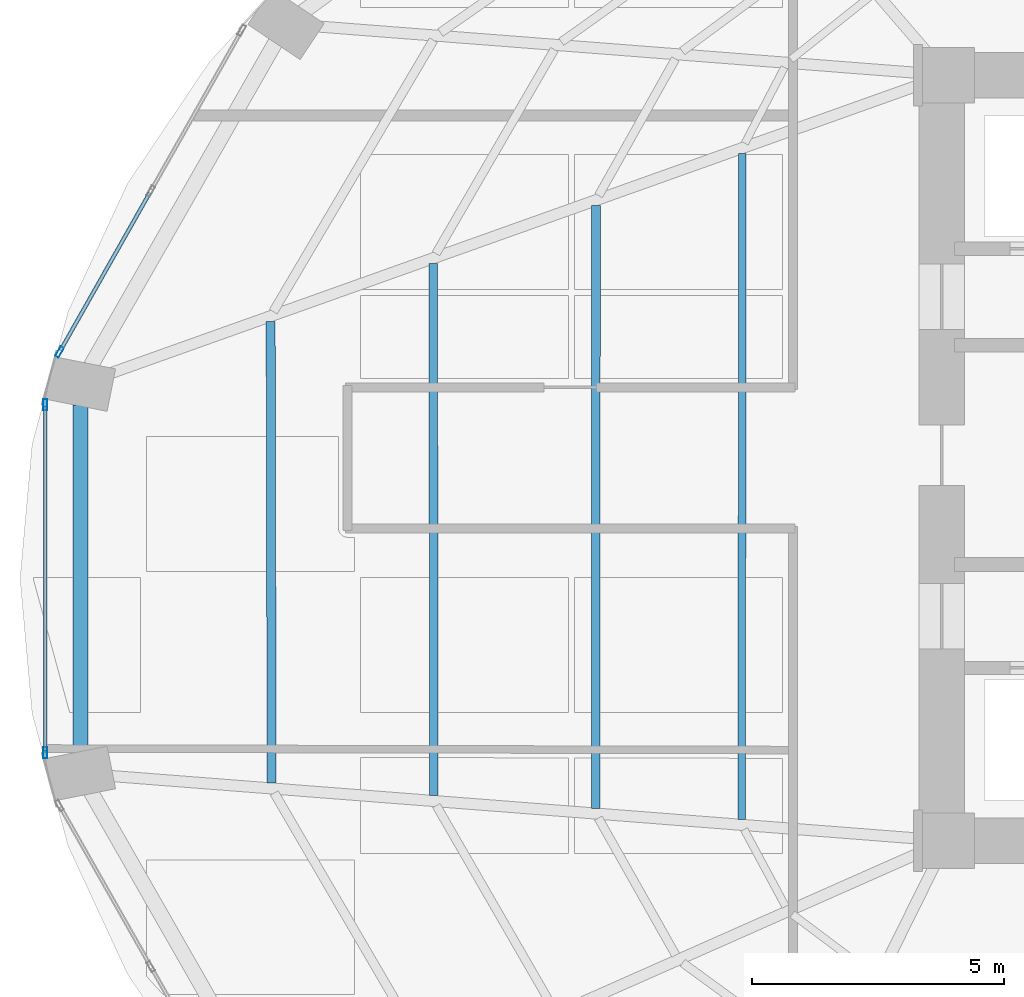
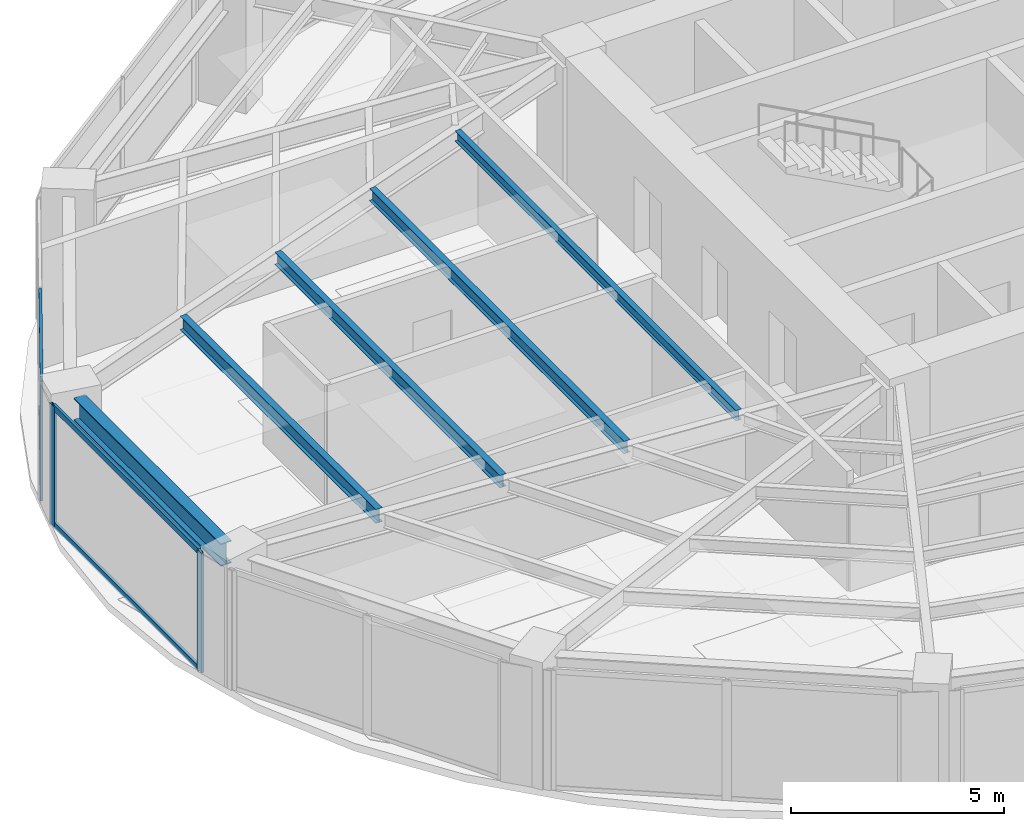
# One storey, part 7 of 24: 7 members, 5 beams, 2 elements without a shape of their own.
"""IFC4 building model written with IfcOpenShell, lengths in metres."""

from ifc_helpers import new_model, si_unit, direction, frame, origin, origin_2d, place, context, subcontext, project, spatial, hollow_rectangle, i_section, extrude, material, layer, layer_set, material_profile, profile_set, type_object, element, aggregate, save


model = new_model("IFC4")

# Units and contexts
model_context = context("Model", 3, precision=1e-05, world=origin(), true_north=direction((0.0, 1.0)))
body_context = subcontext(model_context, "Body", "Model", "MODEL_VIEW")
ifc_project = project(units=[si_unit("LENGTHUNIT", "METRE"), si_unit("AREAUNIT", "SQUARE_METRE"), si_unit("VOLUMEUNIT", "CUBIC_METRE"), si_unit("PLANEANGLEUNIT", "RADIAN"), si_unit("MASSUNIT", "GRAM", prefix="KILO")], contexts=[model_context])

# Site, building, storey
site_placement = place(None, origin())
site = spatial("IfcSite", under=ifc_project, at=site_placement, CompositionType="ELEMENT")
building_placement = place(site_placement, origin())
building = spatial("IfcBuilding", under=site, at=building_placement, Name="Lazwardi Medical Tower", CompositionType="ELEMENT")
storey_placement = place(building_placement, frame((0.0, 0.0, 65.327880859375)))
storey = spatial("IfcBuildingStorey", under=building, at=storey_placement, Name="L16", CompositionType="ELEMENT", Elevation=65.327880859375)

# Beams
ifc_material_1 = material(Name="Steel S355", Category="steel")
ifc_material_profile_1 = material_profile(ifc_material_1, i_section(OverallWidth=0.300048828125, OverallDepth=0.64990234375, WebThickness=0.01611328125, FlangeThickness=0.031005859375, at=origin_2d()), Name="HEB 650")
ifc_profile_set_1 = profile_set([ifc_material_profile_1], Name="Steel S355")
beam_type_1 = type_object("IfcBeamType", Name="BM-RB-Z1", PredefinedType="BEAM", material=ifc_profile_set_1)
beam_1_placement = place(storey_placement, frame((9.199951171875, 29.047607421875, 3.10302734375), z_axis=(0.0, -1.0, 0.0), x_axis=(1.0, 0.0, 0.0)))
element("IfcBeam", 1, at=beam_1_placement, inside=storey, type_object=beam_type_1, Name="Ring beam RB-02 B12 L16", PredefinedType="BEAM", context=body_context, shape_type="SweptSolid", body=[
    extrude(i_section(OverallWidth=0.300048828125, OverallDepth=0.64990234375, WebThickness=0.01611328125, FlangeThickness=0.031005859375, at=origin_2d()), origin(), (0.0, 0.0, 1.0), 6.895263671875),
])
ifc_material_profile_2 = material_profile(ifc_material_1, i_section(OverallWidth=0.179931640625, OverallDepth=0.39990234375, WebThickness=0.008544921875, FlangeThickness=0.013427734375, at=origin_2d()), Name="IPE 400")
ifc_profile_set_2 = profile_set([ifc_material_profile_2], Name="Steel S355")
beam_type_2 = type_object("IfcBeamType", Name="BM-SJ-01", PredefinedType="JOIST", material=ifc_profile_set_2)
beam_2_placement = place(storey_placement, frame((12.9765625, 30.708984375, 3.22802734375), z_axis=(0.002077613181, -0.999997841759, 0.0), x_axis=(0.999997841759, 0.002077613181, 0.0)))
element("IfcBeam", 2, at=beam_2_placement, inside=storey, type_object=beam_type_2, Name="Secondary joist SJ-01 R1 B12 L16", PredefinedType="JOIST", context=body_context, shape_type="SweptSolid", body=[
    extrude(i_section(OverallWidth=0.179931640625, OverallDepth=0.39990234375, WebThickness=0.008544921875, FlangeThickness=0.013427734375, at=origin_2d()), origin(), (0.0, 0.0, 1.0), 9.165771484375),
])
ifc_material_profile_3 = material_profile(ifc_material_1, i_section(OverallWidth=0.169921875, OverallDepth=0.360107421875, WebThickness=0.008056640625, FlangeThickness=0.0126953125, at=origin_2d()), Name="IPE 360")
ifc_profile_set_3 = profile_set([ifc_material_profile_3], Name="Steel S355")
beam_type_3 = type_object("IfcBeamType", Name="BM-SJ-02", PredefinedType="JOIST", material=ifc_profile_set_3)
beam_3_placement = place(storey_placement, frame((16.206298828125, 31.860595703125, 3.248046875), z_axis=(0.000670039821, -0.999999775523, 0.0), x_axis=(0.999999775523, 0.000670039821, 0.0)))
element("IfcBeam", 3, at=beam_3_placement, inside=storey, type_object=beam_type_3, Name="Secondary joist SJ-02 R2 B12 L16", PredefinedType="JOIST", context=body_context, shape_type="SweptSolid", body=[
    extrude(i_section(OverallWidth=0.169921875, OverallDepth=0.360107421875, WebThickness=0.008056640625, FlangeThickness=0.0126953125, at=origin_2d()), origin(), (0.0, 0.0, 1.0), 10.566650390625),
])
beam_4_placement = place(storey_placement, frame((19.43603515625, 33.01220703125, 3.248046875), z_axis=(-0.000387612685, -0.999999924878, 0.0), x_axis=(0.999999924878, -0.000387612685, 0.0)))
element("IfcBeam", 4, at=beam_4_placement, inside=storey, type_object=beam_type_3, Name="Secondary joist SJ-02 R3 B12 L16", PredefinedType="JOIST", context=body_context, shape_type="SweptSolid", body=[
    extrude(i_section(OverallWidth=0.169921875, OverallDepth=0.360107421875, WebThickness=0.008056640625, FlangeThickness=0.0126953125, at=origin_2d()), origin(), (0.0, 0.0, 1.0), 11.96728515625),
])
ifc_material_profile_4 = material_profile(ifc_material_1, i_section(OverallWidth=0.14990234375, OverallDepth=0.300048828125, WebThickness=0.007080078125, FlangeThickness=0.0107421875, at=origin_2d()), Name="IPE 300")
ifc_profile_set_4 = profile_set([ifc_material_profile_4], Name="Steel S355")
beam_type_4 = type_object("IfcBeamType", Name="BM-SJ-03", PredefinedType="JOIST", material=ifc_profile_set_4)
beam_5_placement = place(storey_placement, frame((22.343017578125, 34.048583984375, 3.278076171875), z_axis=(-0.001181203266, -0.999999302379, 0.0), x_axis=(0.999999302379, -0.001181203266, 0.0)))
element("IfcBeam", 5, at=beam_5_placement, inside=storey, type_object=beam_type_4, Name="Secondary joist SJ-03 R4 B12 L16", PredefinedType="JOIST", context=body_context, shape_type="SweptSolid", body=[
    extrude(i_section(OverallWidth=0.14990234375, OverallDepth=0.300048828125, WebThickness=0.007080078125, FlangeThickness=0.0107421875, at=origin_2d()), origin(), (0.0, 0.0, 1.0), 13.22802734375),
])

# Curtain wall, member
ifc_material_2 = material(Name="Anodised bronze aluminium and solar control glazing", Category="aluminium")
ifc_layer = layer(ifc_material_2, 0.199951171875)
ifc_layer_set = layer_set([ifc_layer], Name="Anodised bronze aluminium and solar control glazing")
curtain_wall_type = type_object("IfcCurtainWallType", Name="CW-SYS-02", PredefinedType="NOTDEFINED", material=ifc_layer_set)
curtain_wall_1_placement = place(storey_placement, origin())
curtain_wall_1 = element("IfcCurtainWall", 6, at=curtain_wall_1_placement, inside=storey, type_object=curtain_wall_type, Name="L16 Unitised bronze curtain wall CW-02", PredefinedType="NOTDEFINED")
ifc_material_3 = material(Name="Anodised bronze aluminium", Category="aluminium")
ifc_material_profile_5 = material_profile(ifc_material_3, hollow_rectangle(XDim=0.074951171875, YDim=0.219970703125, WallThickness=0.00390625, at=origin_2d()), Name="ALU-MULLION 220x75x4")
ifc_profile_set_5 = profile_set([ifc_material_profile_5], Name="Anodised bronze aluminium")
member_type_1 = type_object("IfcMemberType", Name="CW-MUL-01", PredefinedType="MULLION", material=ifc_profile_set_5)
member_1_placement = place(storey_placement, frame((8.785888671875, 30.102294921875, 0.0), z_axis=(0.0, 0.0, 1.0), x_axis=(0.870111838823, -0.492854327303, 0.0)))
member_1 = element("IfcMember", 7, at=member_1_placement, type_object=member_type_1, Name="CW-02 mullion 3", PredefinedType="MULLION", context=body_context, shape_type="SweptSolid", body=[
    extrude(hollow_rectangle(XDim=0.074951171875, YDim=0.219970703125, WallThickness=0.00390625, at=origin_2d()), origin(), (0.0, 0.0, 1.0), 3.42822265625),
])

# Curtain wall, members
curtain_wall_2_placement = place(storey_placement, origin())
curtain_wall_2 = element("IfcCurtainWall", 8, at=curtain_wall_2_placement, inside=storey, type_object=curtain_wall_type, Name="L16 Unitised bronze curtain wall CW-02", PredefinedType="NOTDEFINED")
member_2_placement = place(storey_placement, frame((8.50146484375, 29.053955078125, 0.0), z_axis=(0.0, 0.0, 1.0), x_axis=(1.0, 0.0, 0.0)))
member_2 = element("IfcMember", 9, at=member_2_placement, type_object=member_type_1, Name="CW-02 mullion 1", PredefinedType="MULLION", context=body_context, shape_type="SweptSolid", body=[
    extrude(hollow_rectangle(XDim=0.074951171875, YDim=0.219970703125, WallThickness=0.00390625, at=origin_2d()), origin(), (0.0, 0.0, 1.0), 3.42822265625),
])
member_3_placement = place(storey_placement, frame((8.50146484375, 22.14599609375, 0.0), z_axis=(0.0, 0.0, 1.0), x_axis=(1.0, 0.0, 0.0)))
member_3 = element("IfcMember", 10, at=member_3_placement, type_object=member_type_1, Name="CW-02 mullion 2", PredefinedType="MULLION", context=body_context, shape_type="SweptSolid", body=[
    extrude(hollow_rectangle(XDim=0.074951171875, YDim=0.219970703125, WallThickness=0.00390625, at=origin_2d()), origin(), (0.0, 0.0, 1.0), 3.42822265625),
])

# Member
ifc_material_profile_6 = material_profile(ifc_material_3, hollow_rectangle(XDim=0.074951171875, YDim=0.159912109375, WallThickness=0.00390625, at=origin_2d()), Name="ALU-TRANSOM 160x75x4")
ifc_profile_set_6 = profile_set([ifc_material_profile_6], Name="Anodised bronze aluminium")
member_type_2 = type_object("IfcMemberType", Name="CW-TRN-01", PredefinedType="USERDEFINED", material=ifc_profile_set_6)
member_4_placement = place(storey_placement, frame((10.576171875, 33.262939453125, 0.03759765625), z_axis=(-0.49285148925, -0.870113446365, 0.0), x_axis=(0.870113446365, -0.49285148925, 0.0)))
member_4 = element("IfcMember", 11, at=member_4_placement, type_object=member_type_2, Name="CW-02 transom 2.1", ObjectType="TRANSOM", PredefinedType="USERDEFINED", context=body_context, shape_type="SweptSolid", body=[
    extrude(hollow_rectangle(XDim=0.074951171875, YDim=0.159912109375, WallThickness=0.00390625, at=origin_2d()), origin(), (0.0, 0.0, 1.0), 3.594970703125),
])

member_5_placement = place(storey_placement, frame((10.576171875, 33.262939453125, 3.390625), z_axis=(-0.49285148925, -0.870113446365, 0.0), x_axis=(0.870113446365, -0.49285148925, 0.0)))
member_5 = element("IfcMember", 12, at=member_5_placement, type_object=member_type_2, Name="CW-02 transom 2.2", ObjectType="TRANSOM", PredefinedType="USERDEFINED", context=body_context, shape_type="SweptSolid", body=[
    extrude(hollow_rectangle(XDim=0.074951171875, YDim=0.159912109375, WallThickness=0.00390625, at=origin_2d()), origin(), (0.0, 0.0, 1.0), 3.594970703125),
])

aggregate(curtain_wall_1, [member_1, member_4, member_5])

member_6_placement = place(storey_placement, frame((8.50146484375, 29.0166015625, 0.03759765625), z_axis=(0.0, -1.0, 0.0), x_axis=(1.0, 0.0, 0.0)))
member_6 = element("IfcMember", 13, at=member_6_placement, type_object=member_type_2, Name="CW-02 transom 1.1", ObjectType="TRANSOM", PredefinedType="USERDEFINED", context=body_context, shape_type="SweptSolid", body=[
    extrude(hollow_rectangle(XDim=0.074951171875, YDim=0.159912109375, WallThickness=0.00390625, at=origin_2d()), origin(), (0.0, 0.0, 1.0), 6.8330078125),
])

member_7_placement = place(storey_placement, frame((8.50146484375, 29.0166015625, 3.390625), z_axis=(0.0, -1.0, 0.0), x_axis=(1.0, 0.0, 0.0)))
member_7 = element("IfcMember", 14, at=member_7_placement, type_object=member_type_2, Name="CW-02 transom 1.2", ObjectType="TRANSOM", PredefinedType="USERDEFINED", context=body_context, shape_type="SweptSolid", body=[
    extrude(hollow_rectangle(XDim=0.074951171875, YDim=0.159912109375, WallThickness=0.00390625, at=origin_2d()), origin(), (0.0, 0.0, 1.0), 6.8330078125),
])

aggregate(curtain_wall_2, [member_2, member_3, member_6, member_7])

save(model, "model.ifc")
